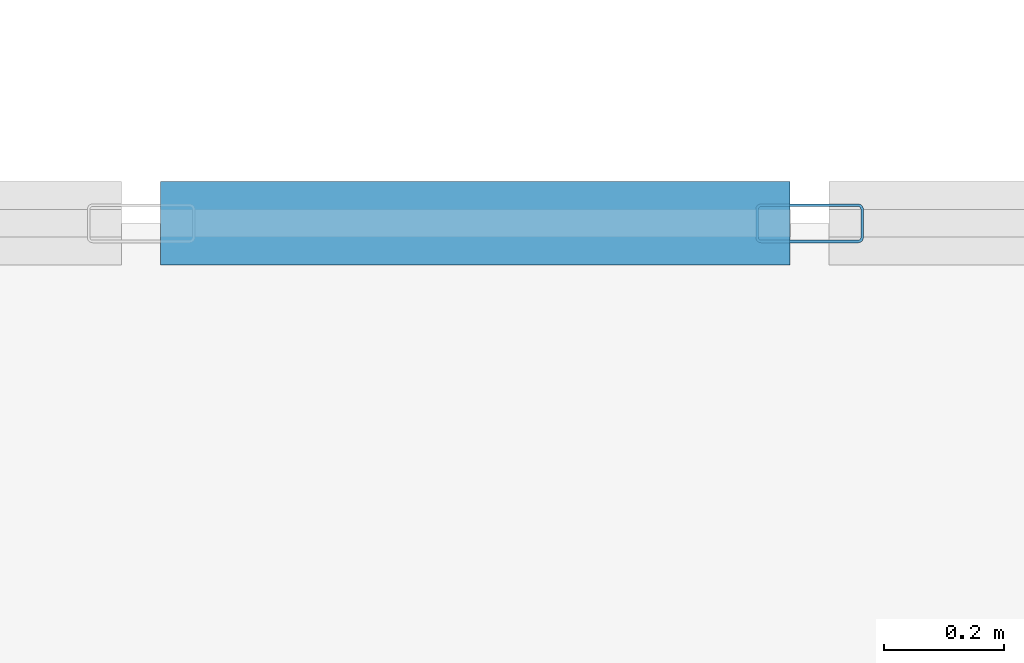
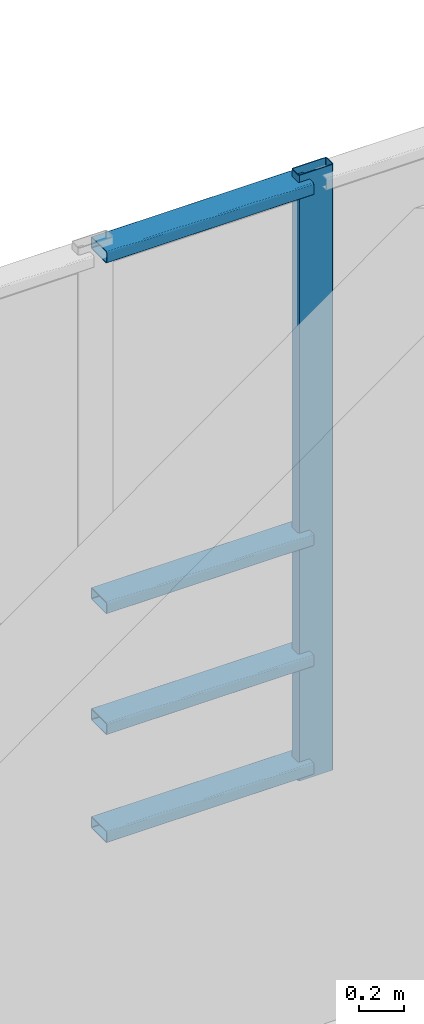
# One storey, part 4 of 11: 5 members, 1 element without a shape of its own.
"""IFC4 building model written with IfcOpenShell, lengths in metres."""

import ifcopenshell
import ifcopenshell.guid

model = None  # the IFC model being written
_history = None  # IfcOwnerHistory: only IFC2X3 demands one
_inside = {}  # id of a spatial element -> (the spatial element, [elements in it])
_under = {}  # id of a project, library or spatial element -> (it, [spatial elements below it])
_declared = {}  # id of a project -> (the project, [libraries it declares])
_typed = {}  # id of a type object -> (the type object, [elements of that type])
_made_of = {}  # id of a material, layer set ... -> (it, [elements and type objects made of it])


def new_model(schema):
    """Start an empty IFC model of exactly this schema.

    Asked for "IFC4X3", IfcOpenShell would pick the latest addendum, in which some entities
    have other attributes; the version numbers below select the first issue.
    IFC2X3 requires an IfcOwnerHistory on every rooted entity: one is made here for all.
    """
    global model, _history
    if schema == "IFC4X3":
        model = ifcopenshell.file(schema_version=(4, 3, 0, 0))
    else:
        model = ifcopenshell.file(schema=schema)
    _inside.clear()
    _under.clear()
    _declared.clear()
    _typed.clear()
    _made_of.clear()
    _history = None
    if model.schema == "IFC2X3":
        org = make("IfcOrganization", Name="unknown")
        user = make(
            "IfcPersonAndOrganization",
            ThePerson=make("IfcPerson", FamilyName="unknown"),
            TheOrganization=org,
        )
        app = make(
            "IfcApplication",
            ApplicationDeveloper=org,
            Version="unknown",
            ApplicationFullName="unknown",
            ApplicationIdentifier="unknown",
        )
        _history = make(
            "IfcOwnerHistory",
            OwningUser=user,
            OwningApplication=app,
            ChangeAction="ADDED",
            CreationDate=0,
        )
    return model


def make(cls, **values):
    """One entity of the class cls with the attributes given. An attribute that is None is left unset."""
    return model.create_entity(
        cls, **{name: value for name, value in values.items() if value is not None}
    )


def rooted(cls, **values):
    """An entity with a GlobalId (a new one), such as an element, a storey or a relation."""
    return make(cls, GlobalId=ifcopenshell.guid.new(), OwnerHistory=_history, **values)


def si_unit(unit_type, name, prefix=None):
    """IfcSIUnit, for example si_unit("LENGTHUNIT", "METRE", prefix="MILLI")."""
    return make("IfcSIUnit", UnitType=unit_type, Prefix=prefix, Name=name)


def assignment(units):
    """IfcUnitAssignment: the units of a project."""
    return None if units is None else make("IfcUnitAssignment", Units=units)


def point(xyz):
    """IfcCartesianPoint."""
    return None if xyz is None else make("IfcCartesianPoint", Coordinates=xyz)


def direction(xyz):
    """IfcDirection."""
    return None if xyz is None else make("IfcDirection", DirectionRatios=xyz)


def frame(location, z_axis=None, x_axis=None):
    """IfcAxis2Placement3D, a coordinate frame: its origin and axes. An axis left out is left unset."""
    return make(
        "IfcAxis2Placement3D",
        Location=point(location),
        Axis=direction(z_axis),
        RefDirection=direction(x_axis),
    )


def frame_2d(location, x_axis=None):
    """IfcAxis2Placement2D, a coordinate frame in the plane: its origin and x axis."""
    return make(
        "IfcAxis2Placement2D", Location=point(location), RefDirection=direction(x_axis)
    )


def origin():
    """The frame at (0, 0, 0) with its axes left unset."""
    return frame((0.0, 0.0, 0.0))


def origin_2d():
    """The frame at (0, 0) in the plane with its x axis left unset."""
    return frame_2d((0.0, 0.0))


def place(relative_to, where):
    """IfcLocalPlacement: puts the frame where relative to a parent placement (None: the world)."""
    return make(
        "IfcLocalPlacement", PlacementRelTo=relative_to, RelativePlacement=where
    )


def context(
    kind, dimensions, precision=None, world=None, true_north=None, identifier=None
):
    """IfcGeometricRepresentationContext, for example the 3D "Model" context."""
    return make(
        "IfcGeometricRepresentationContext",
        ContextIdentifier=identifier,
        ContextType=kind,
        CoordinateSpaceDimension=dimensions,
        Precision=precision,
        WorldCoordinateSystem=world,
        TrueNorth=true_north,
    )


def subcontext(parent, identifier, kind, view, scale=None):
    """IfcGeometricRepresentationSubContext, for example "Body" below "Model"."""
    return make(
        "IfcGeometricRepresentationSubContext",
        ContextIdentifier=identifier,
        ContextType=kind,
        ParentContext=parent,
        TargetScale=scale,
        TargetView=view,
    )


def project(units=None, contexts=None):
    """IfcProject with its units and contexts."""
    return rooted(
        "IfcProject",
        Name="project",
        RepresentationContexts=contexts,
        UnitsInContext=assignment(units),
    )


def spatial(cls, under=None, at=None, **own):
    """A site, building, storey or space (cls), placed at a placement, below another one or the project."""
    s = rooted(cls, ObjectPlacement=at, **own)
    if under is not None:
        _under.setdefault(under.id(), (under, []))[1].append(s)
    return s


def profile(cls, at=None, kind="AREA", **sizes):
    """A parametric profile (cls). Its sizes go by their IFC names, for example OverallWidth=200.0."""
    return make(cls, ProfileType=kind, Position=at, **sizes)


def hollow_rectangle(**sizes):
    """IfcRectangleHollowProfileDef."""
    return profile("IfcRectangleHollowProfileDef", **sizes)


def extrude(swept, where, along, depth):
    """IfcExtrudedAreaSolid: the profile swept, set in the frame where, extruded along a direction by depth."""
    return make(
        "IfcExtrudedAreaSolid",
        SweptArea=swept,
        Position=where,
        ExtrudedDirection=direction(along),
        Depth=depth,
    )


def shape(context_of_items, identifier, shape_type, items):
    """IfcShapeRepresentation: the items that make up one representation, for example the "Body"."""
    return make(
        "IfcShapeRepresentation",
        ContextOfItems=context_of_items,
        RepresentationIdentifier=identifier,
        RepresentationType=shape_type,
        Items=items,
    )


def material(Name=None, Category=None):
    """IfcMaterial."""
    return make("IfcMaterial", Name=Name, Category=Category)


def layer(
    of_material, thickness, ventilated=None, Name=None, Category=None, Priority=None
):
    """IfcMaterialLayer: one layer of a wall or slab, of a material (None: an air gap)."""
    return make(
        "IfcMaterialLayer",
        Material=of_material,
        LayerThickness=thickness,
        IsVentilated=ventilated,
        Name=Name,
        Category=Category,
        Priority=Priority,
    )


def layer_set(layers, Name=None):
    """IfcMaterialLayerSet."""
    return make("IfcMaterialLayerSet", MaterialLayers=layers, LayerSetName=Name)


def material_profile(
    of_material, cross_section, Name=None, Category=None, Priority=None
):
    """IfcMaterialProfile: a cross section and its material."""
    return make(
        "IfcMaterialProfile",
        Name=Name,
        Material=of_material,
        Profile=cross_section,
        Priority=Priority,
        Category=Category,
    )


def profile_set(profiles, Name=None, composite=None):
    """IfcMaterialProfileSet."""
    return make(
        "IfcMaterialProfileSet",
        Name=Name,
        MaterialProfiles=profiles,
        CompositeProfile=composite,
    )


def made_of(thing, what):
    """Note that an element or type object is made of a material, layer set ...; save() writes the relation."""
    if what is not None:
        _made_of.setdefault(what.id(), (what, []))[1].append(thing)
    return thing


def type_object(cls, material=None, **own):
    """A type object (cls), such as IfcWallType, which elements share."""
    return made_of(rooted(cls, **own), material)


def element(
    cls,
    number,
    at=None,
    inside=None,
    cuts=None,
    type_object=None,
    material=None,
    context=None,
    identifier="Body",
    shape_type=None,
    held_by="IfcProductDefinitionShape",
    body=None,
    shapes=None,
    **own,
):
    """One element of the class cls, such as IfcWall. Its Tag is "e" and its number.

    at: its placement. inside: the storey or other place that contains it. cuts: it is an
    opening in that element (IfcRelVoidsElement). A single representation is given by context,
    identifier, shape_type and body (its items); several are given by shapes. held_by: the class
    of the entity that holds the representations. save() writes the other relations.
    """
    e = rooted(cls, Tag="e%d" % number, ObjectPlacement=at, **own)
    if body is not None:
        shapes = [shape(context, identifier, shape_type, body)]
    if shapes is not None:
        e.Representation = make(held_by, Representations=shapes)
    if inside is not None:
        _inside.setdefault(inside.id(), (inside, []))[1].append(e)
    if cuts is not None:
        rooted(
            "IfcRelVoidsElement", RelatingBuildingElement=cuts, RelatedOpeningElement=e
        )
    if type_object is not None:
        _typed.setdefault(type_object.id(), (type_object, []))[1].append(e)
    return made_of(e, material)


def aggregate(whole, parts):
    """IfcRelAggregates: a whole, such as a stair, and the parts it consists of."""
    return rooted("IfcRelAggregates", RelatingObject=whole, RelatedObjects=parts)


def save(model, path):
    """Write the relations noted so far, then the file.

    IfcRelAggregates (storeys below a building ...), IfcRelContainedInSpatialStructure (elements
    in a storey), IfcRelDefinesByType, IfcRelAssociatesMaterial and IfcRelDeclares: one each for
    every whole, place, type object, material and project.
    """
    for whole, parts in _under.values():
        aggregate(whole, parts)
    for where, things in _inside.values():
        rooted(
            "IfcRelContainedInSpatialStructure",
            RelatedElements=things,
            RelatingStructure=where,
        )
    for kind, things in _typed.values():
        rooted("IfcRelDefinesByType", RelatedObjects=things, RelatingType=kind)
    for what, things in _made_of.values():
        rooted("IfcRelAssociatesMaterial", RelatedObjects=things, RelatingMaterial=what)
    for by, libraries in _declared.values():
        rooted("IfcRelDeclares", RelatingContext=by, RelatedDefinitions=libraries)
    model.write(path)


model = new_model("IFC4")

# Units and contexts
model_context = context("Model", 3, precision=1e-05, world=origin(), true_north=direction((0.0, 1.0)))
body_context = subcontext(model_context, "Body", "Model", "MODEL_VIEW")
ifc_project = project(units=[si_unit("LENGTHUNIT", "METRE"), si_unit("AREAUNIT", "SQUARE_METRE"), si_unit("VOLUMEUNIT", "CUBIC_METRE"), si_unit("PLANEANGLEUNIT", "RADIAN"), si_unit("MASSUNIT", "GRAM", prefix="KILO")], contexts=[model_context])

# Site, building, storey
site_placement = place(None, origin())
site = spatial("IfcSite", under=ifc_project, at=site_placement, CompositionType="ELEMENT")
building_placement = place(site_placement, origin())
building = spatial("IfcBuilding", under=site, at=building_placement, Name="Kisaragi Civic Commons", CompositionType="ELEMENT")
storey_placement = place(building_placement, frame((0.0, 0.0, 17.39990234375)))
storey = spatial("IfcBuildingStorey", under=building, at=storey_placement, Name="L04", CompositionType="ELEMENT", Elevation=17.39990234375)

# Curtain wall, members
ifc_material = material(Name="Thermally broken anodized aluminium and low-E double glazing", Category="aluminium")
ifc_layer = layer(ifc_material, 0.179931640625, Name="Thermally broken anodized aluminium and low-E double glazing", Category="aluminium")
ifc_layer_set = layer_set([ifc_layer], Name="Thermally broken anodized aluminium and low-E double glazing")
curtain_wall_type = type_object("IfcCurtainWallType", Name="CW-01", PredefinedType="NOTDEFINED", material=ifc_layer_set)
curtain_wall_placement = place(storey_placement, origin())
curtain_wall = element("IfcCurtainWall", 1, at=curtain_wall_placement, inside=storey, type_object=curtain_wall_type, Name="L04 curtain wall CW-01 CW-V4-L04-114", PredefinedType="NOTDEFINED")
ifc_material_profile_1 = material_profile(ifc_material, hollow_rectangle(XDim=0.06494140625, YDim=0.179931640625, WallThickness=0.00439453125, InnerFilletRadius=0.00439453125, OuterFilletRadius=0.009033203125, at=origin_2d()), Name="CWM-65x180x4.5", Category="aluminium")
ifc_profile_set_1 = profile_set([ifc_material_profile_1], Name="Thermally broken anodized aluminium and low-E double glazing")
member_type_1 = type_object("IfcMemberType", Name="CWM-02", PredefinedType="MULLION", material=ifc_profile_set_1)
member_1_placement = place(storey_placement, frame((121.074951171875, 118.800048828125, 0.0), z_axis=(0.0, 0.0, 1.0), x_axis=(0.0, 1.0, 0.0)))
member_1 = element("IfcMember", 2, at=member_1_placement, type_object=member_type_1, Name="CW-01 mullion 3", PredefinedType="MULLION", context=body_context, shape_type="SweptSolid", body=[
    extrude(hollow_rectangle(XDim=0.06494140625, YDim=0.179931640625, WallThickness=0.00439453125, InnerFilletRadius=0.00439453125, OuterFilletRadius=0.009033203125, at=origin_2d()), origin(), (0.0, 0.0, 1.0), 3.255126953125),
])
ifc_material_profile_2 = material_profile(ifc_material, hollow_rectangle(XDim=0.139892578125, YDim=0.06494140625, WallThickness=0.00439453125, InnerFilletRadius=0.00439453125, OuterFilletRadius=0.009033203125, at=origin_2d()), Name="CWT-65x140x4.5", Category="aluminium")
ifc_profile_set_2 = profile_set([ifc_material_profile_2], Name="Thermally broken anodized aluminium and low-E double glazing")
member_type_2 = type_object("IfcMemberType", Name="CWT-02", PredefinedType="USERDEFINED", material=ifc_profile_set_2)
member_2_placement = place(storey_placement, frame((119.989990234375, 118.800048828125, 0.070068359375), z_axis=(1.0, 0.0, 0.0), x_axis=(0.0, 1.0, 0.0)))
member_2 = element("IfcMember", 3, at=member_2_placement, type_object=member_type_2, Name="CW-01 transom 2.1", ObjectType="TRANSOM", PredefinedType="USERDEFINED", context=body_context, shape_type="SweptSolid", body=[
    extrude(hollow_rectangle(XDim=0.139892578125, YDim=0.06494140625, WallThickness=0.00439453125, InnerFilletRadius=0.00439453125, OuterFilletRadius=0.009033203125, at=origin_2d()), origin(), (0.0, 0.0, 1.0), 1.052490234375),
])
member_3_placement = place(storey_placement, frame((119.989990234375, 118.800048828125, 0.650146484375), z_axis=(1.0, 0.0, 0.0), x_axis=(0.0, 1.0, 0.0)))
member_3 = element("IfcMember", 4, at=member_3_placement, type_object=member_type_2, Name="CW-01 transom 2.2", ObjectType="TRANSOM", PredefinedType="USERDEFINED", context=body_context, shape_type="SweptSolid", body=[
    extrude(hollow_rectangle(XDim=0.139892578125, YDim=0.06494140625, WallThickness=0.00439453125, InnerFilletRadius=0.00439453125, OuterFilletRadius=0.009033203125, at=origin_2d()), origin(), (0.0, 0.0, 1.0), 1.052490234375),
])
member_4_placement = place(storey_placement, frame((119.989990234375, 118.800048828125, 1.300048828125), z_axis=(1.0, 0.0, 0.0), x_axis=(0.0, 1.0, 0.0)))
member_4 = element("IfcMember", 5, at=member_4_placement, type_object=member_type_2, Name="CW-01 transom 2.3", ObjectType="TRANSOM", PredefinedType="USERDEFINED", context=body_context, shape_type="SweptSolid", body=[
    extrude(hollow_rectangle(XDim=0.139892578125, YDim=0.06494140625, WallThickness=0.00439453125, InnerFilletRadius=0.00439453125, OuterFilletRadius=0.009033203125, at=origin_2d()), origin(), (0.0, 0.0, 1.0), 1.052490234375),
])
member_5_placement = place(storey_placement, frame((119.989990234375, 118.800048828125, 3.18505859375), z_axis=(1.0, 0.0, 0.0), x_axis=(0.0, 1.0, 0.0)))
member_5 = element("IfcMember", 6, at=member_5_placement, type_object=member_type_2, Name="CW-01 transom 2.4", ObjectType="TRANSOM", PredefinedType="USERDEFINED", context=body_context, shape_type="SweptSolid", body=[
    extrude(hollow_rectangle(XDim=0.139892578125, YDim=0.06494140625, WallThickness=0.00439453125, InnerFilletRadius=0.00439453125, OuterFilletRadius=0.009033203125, at=origin_2d()), origin(), (0.0, 0.0, 1.0), 1.052490234375),
])
aggregate(curtain_wall, [member_1, member_2, member_3, member_4, member_5])

save(model, "model.ifc")
